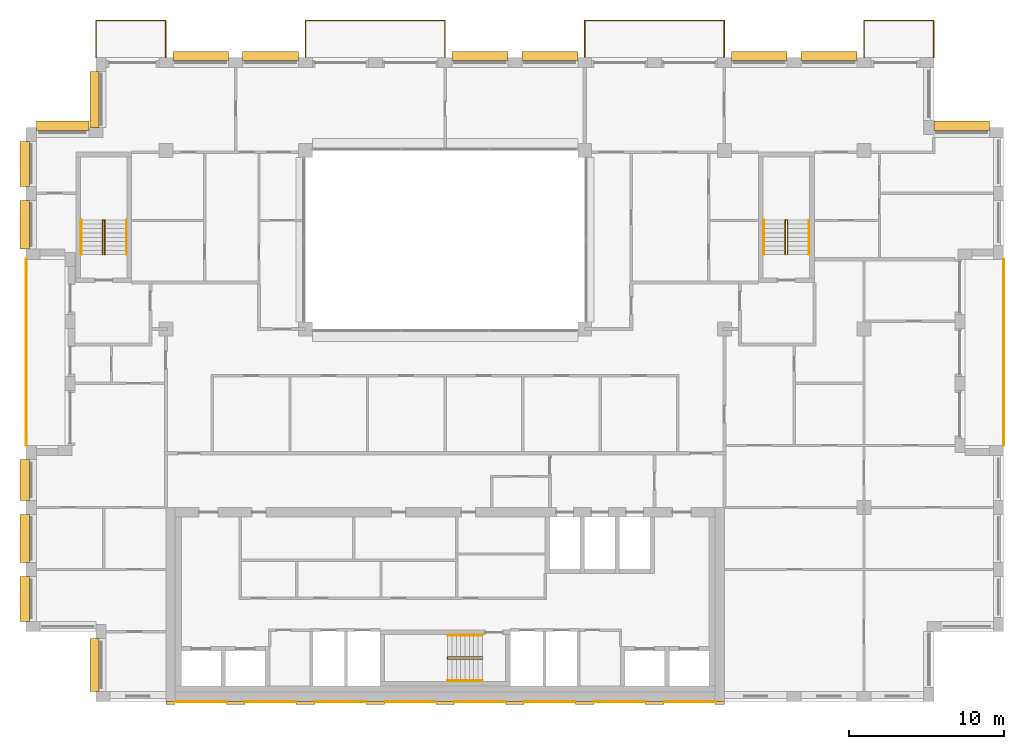
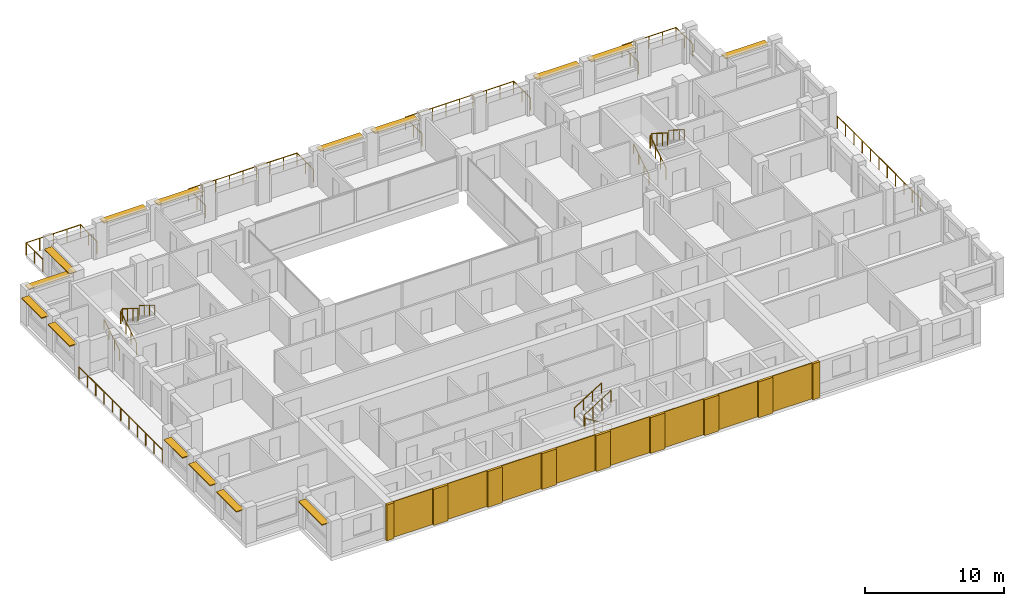
# One storey, part 15 of 15: 17 coverings, 15 railings, 15 shading devices.
"""IFC4 building model written with IfcOpenShell, lengths in metres."""

from ifc_helpers import new_model, si_unit, direction, frame, origin, origin_2d, place, context, subcontext, project, spatial, rectangle, circle, extrude, material, layer, layer_set, type_object, element, save


model = new_model("IFC4")

# Units and contexts
model_context = context("Model", 3, precision=1e-05, world=origin(), true_north=direction((0.0, 1.0)))
body_context = subcontext(model_context, "Body", "Model", "MODEL_VIEW")
ifc_project = project(units=[si_unit("LENGTHUNIT", "METRE"), si_unit("AREAUNIT", "SQUARE_METRE"), si_unit("VOLUMEUNIT", "CUBIC_METRE"), si_unit("PLANEANGLEUNIT", "RADIAN"), si_unit("MASSUNIT", "GRAM", prefix="KILO")], contexts=[model_context])

# Site, building, storey
site_placement = place(None, origin())
site = spatial("IfcSite", under=ifc_project, at=site_placement, CompositionType="ELEMENT")
building_placement = place(site_placement, origin())
building = spatial("IfcBuilding", under=site, at=building_placement, Name="Brigalow Station Residences", CompositionType="ELEMENT")
storey_placement = place(building_placement, frame((0.0, 0.0, 213.75)))
storey = spatial("IfcBuildingStorey", under=building, at=storey_placement, Name="L61", CompositionType="ELEMENT", Elevation=213.75)

# Railings
ifc_material_1 = material(Name="Stainless steel balustrade with laminated glass infill", Category="steel")
railing_type_1 = type_object("IfcRailingType", Name="BALCONY GUARD 1100", PredefinedType="GUARDRAIL", material=ifc_material_1)
railing_1_placement = place(storey_placement, frame((72.0, 16.5, -0.0400390625)))
element("IfcRailing", 1, at=railing_1_placement, inside=storey, type_object=railing_type_1, Name="L61/balcony-guard/1", PredefinedType="GUARDRAIL", context=body_context, shape_type="SweptSolid", body=[
    extrude(circle(Radius=0.02392578125, at=origin_2d()), frame((0.0, 0.0, 1.076171875), z_axis=(0.0, 1.0, 0.0), x_axis=(-1.0, 0.0, 0.0)), (0.0, 0.0, 1.0), 12.0),
    extrude(circle(Radius=0.02099609375, at=origin_2d()), origin(), (0.0, 0.0, 1.0), 1.052001953125),
    extrude(circle(Radius=0.02099609375, at=origin_2d()), frame((0.0, 1.199951171875, 0.0)), (0.0, 0.0, 1.0), 1.052001953125),
    extrude(circle(Radius=0.02099609375, at=origin_2d()), frame((0.0, 2.39990234375, 0.0)), (0.0, 0.0, 1.0), 1.052001953125),
    extrude(circle(Radius=0.02099609375, at=origin_2d()), frame((0.0, 3.60009765625, 0.0)), (0.0, 0.0, 1.0), 1.052001953125),
    extrude(circle(Radius=0.02099609375, at=origin_2d()), frame((0.0, 4.800048828125, 0.0)), (0.0, 0.0, 1.0), 1.052001953125),
    extrude(circle(Radius=0.02099609375, at=origin_2d()), frame((0.0, 6.0, 0.0)), (0.0, 0.0, 1.0), 1.052001953125),
    extrude(circle(Radius=0.02099609375, at=origin_2d()), frame((0.0, 7.199951171875, 0.0)), (0.0, 0.0, 1.0), 1.052001953125),
    extrude(circle(Radius=0.02099609375, at=origin_2d()), frame((0.0, 8.39990234375, 0.0)), (0.0, 0.0, 1.0), 1.052001953125),
    extrude(circle(Radius=0.02099609375, at=origin_2d()), frame((0.0, 9.60009765625, 0.0)), (0.0, 0.0, 1.0), 1.052001953125),
    extrude(circle(Radius=0.02099609375, at=origin_2d()), frame((0.0, 10.800048828125, 0.0)), (0.0, 0.0, 1.0), 1.052001953125),
    extrude(circle(Radius=0.02099609375, at=origin_2d()), frame((0.0, 12.0, 0.0)), (0.0, 0.0, 1.0), 1.052001953125),
])
railing_2_placement = place(storey_placement, frame((67.5, 41.5, -0.0400390625)))
element("IfcRailing", 2, at=railing_2_placement, inside=storey, type_object=railing_type_1, Name="L61/balcony-guard/2", PredefinedType="GUARDRAIL", context=body_context, shape_type="SweptSolid", body=[
    extrude(circle(Radius=0.02392578125, at=origin_2d()), frame((0.0, 0.0, 1.076171875), z_axis=(0.0, 1.0, 0.0), x_axis=(-1.0, 0.0, 0.0)), (0.0, 0.0, 1.0), 2.39990234375),
    extrude(circle(Radius=0.02392578125, at=origin_2d()), frame((0.0, 2.39990234375, 1.076171875), z_axis=(-1.0, 0.0, 0.0), x_axis=(0.0, -1.0, 0.0)), (0.0, 0.0, 1.0), 4.5),
    extrude(circle(Radius=0.02392578125, at=origin_2d()), frame((-4.5, 2.39990234375, 1.076171875), z_axis=(0.0, -1.0, 0.0), x_axis=(1.0, 0.0, 0.0)), (0.0, 0.0, 1.0), 2.39990234375),
    extrude(circle(Radius=0.02099609375, at=origin_2d()), origin(), (0.0, 0.0, 1.0), 1.052001953125),
    extrude(circle(Radius=0.02099609375, at=origin_2d()), frame((0.0, 1.199951171875, 0.0)), (0.0, 0.0, 1.0), 1.052001953125),
    extrude(circle(Radius=0.02099609375, at=origin_2d()), frame((0.0, 2.39990234375, 0.0)), (0.0, 0.0, 1.0), 1.052001953125),
    extrude(circle(Radius=0.02099609375, at=origin_2d()), frame((-1.125, 2.39990234375, 0.0)), (0.0, 0.0, 1.0), 1.052001953125),
    extrude(circle(Radius=0.02099609375, at=origin_2d()), frame((-2.25, 2.39990234375, 0.0)), (0.0, 0.0, 1.0), 1.052001953125),
    extrude(circle(Radius=0.02099609375, at=origin_2d()), frame((-3.375, 2.39990234375, 0.0)), (0.0, 0.0, 1.0), 1.052001953125),
    extrude(circle(Radius=0.02099609375, at=origin_2d()), frame((-4.5, 2.39990234375, 0.0)), (0.0, 0.0, 1.0), 1.052001953125),
    extrude(circle(Radius=0.02099609375, at=origin_2d()), frame((-4.5, 1.199951171875, 0.0)), (0.0, 0.0, 1.0), 1.052001953125),
    extrude(circle(Radius=0.02099609375, at=origin_2d()), frame((-4.5, 0.0, 0.0)), (0.0, 0.0, 1.0), 1.052001953125),
])
railing_3_placement = place(storey_placement, frame((54.0, 41.5, -0.0400390625)))
element("IfcRailing", 3, at=railing_3_placement, inside=storey, type_object=railing_type_1, Name="L61/balcony-guard/3", PredefinedType="GUARDRAIL", context=body_context, shape_type="SweptSolid", body=[
    extrude(circle(Radius=0.02392578125, at=origin_2d()), frame((0.0, 0.0, 1.076171875), z_axis=(0.0, 1.0, 0.0), x_axis=(-1.0, 0.0, 0.0)), (0.0, 0.0, 1.0), 2.39990234375),
    extrude(circle(Radius=0.02392578125, at=origin_2d()), frame((0.0, 2.39990234375, 1.076171875), z_axis=(-1.0, 0.0, 0.0), x_axis=(0.0, -1.0, 0.0)), (0.0, 0.0, 1.0), 9.0),
    extrude(circle(Radius=0.02392578125, at=origin_2d()), frame((-9.0, 2.39990234375, 1.076171875), z_axis=(0.0, -1.0, 0.0), x_axis=(1.0, 0.0, 0.0)), (0.0, 0.0, 1.0), 2.39990234375),
    extrude(circle(Radius=0.02099609375, at=origin_2d()), origin(), (0.0, 0.0, 1.0), 1.052001953125),
    extrude(circle(Radius=0.02099609375, at=origin_2d()), frame((0.0, 1.199951171875, 0.0)), (0.0, 0.0, 1.0), 1.052001953125),
    extrude(circle(Radius=0.02099609375, at=origin_2d()), frame((0.0, 2.39990234375, 0.0)), (0.0, 0.0, 1.0), 1.052001953125),
    extrude(circle(Radius=0.02099609375, at=origin_2d()), frame((-1.125, 2.39990234375, 0.0)), (0.0, 0.0, 1.0), 1.052001953125),
    extrude(circle(Radius=0.02099609375, at=origin_2d()), frame((-2.25, 2.39990234375, 0.0)), (0.0, 0.0, 1.0), 1.052001953125),
    extrude(circle(Radius=0.02099609375, at=origin_2d()), frame((-3.375, 2.39990234375, 0.0)), (0.0, 0.0, 1.0), 1.052001953125),
    extrude(circle(Radius=0.02099609375, at=origin_2d()), frame((-4.5, 2.39990234375, 0.0)), (0.0, 0.0, 1.0), 1.052001953125),
    extrude(circle(Radius=0.02099609375, at=origin_2d()), frame((-5.625, 2.39990234375, 0.0)), (0.0, 0.0, 1.0), 1.052001953125),
    extrude(circle(Radius=0.02099609375, at=origin_2d()), frame((-6.75, 2.39990234375, 0.0)), (0.0, 0.0, 1.0), 1.052001953125),
    extrude(circle(Radius=0.02099609375, at=origin_2d()), frame((-7.875, 2.39990234375, 0.0)), (0.0, 0.0, 1.0), 1.052001953125),
    extrude(circle(Radius=0.02099609375, at=origin_2d()), frame((-9.0, 2.39990234375, 0.0)), (0.0, 0.0, 1.0), 1.052001953125),
    extrude(circle(Radius=0.02099609375, at=origin_2d()), frame((-9.0, 1.199951171875, 0.0)), (0.0, 0.0, 1.0), 1.052001953125),
    extrude(circle(Radius=0.02099609375, at=origin_2d()), frame((-9.0, 0.0, 0.0)), (0.0, 0.0, 1.0), 1.052001953125),
])
railing_4_placement = place(storey_placement, frame((36.0, 41.5, -0.0400390625)))
element("IfcRailing", 4, at=railing_4_placement, inside=storey, type_object=railing_type_1, Name="L61/balcony-guard/4", PredefinedType="GUARDRAIL", context=body_context, shape_type="SweptSolid", body=[
    extrude(circle(Radius=0.02392578125, at=origin_2d()), frame((0.0, 0.0, 1.076171875), z_axis=(0.0, 1.0, 0.0), x_axis=(-1.0, 0.0, 0.0)), (0.0, 0.0, 1.0), 2.39990234375),
    extrude(circle(Radius=0.02392578125, at=origin_2d()), frame((0.0, 2.39990234375, 1.076171875), z_axis=(-1.0, 0.0, 0.0), x_axis=(0.0, -1.0, 0.0)), (0.0, 0.0, 1.0), 9.0),
    extrude(circle(Radius=0.02392578125, at=origin_2d()), frame((-9.0, 2.39990234375, 1.076171875), z_axis=(0.0, -1.0, 0.0), x_axis=(1.0, 0.0, 0.0)), (0.0, 0.0, 1.0), 2.39990234375),
    extrude(circle(Radius=0.02099609375, at=origin_2d()), origin(), (0.0, 0.0, 1.0), 1.052001953125),
    extrude(circle(Radius=0.02099609375, at=origin_2d()), frame((0.0, 1.199951171875, 0.0)), (0.0, 0.0, 1.0), 1.052001953125),
    extrude(circle(Radius=0.02099609375, at=origin_2d()), frame((0.0, 2.39990234375, 0.0)), (0.0, 0.0, 1.0), 1.052001953125),
    extrude(circle(Radius=0.02099609375, at=origin_2d()), frame((-1.125, 2.39990234375, 0.0)), (0.0, 0.0, 1.0), 1.052001953125),
    extrude(circle(Radius=0.02099609375, at=origin_2d()), frame((-2.25, 2.39990234375, 0.0)), (0.0, 0.0, 1.0), 1.052001953125),
    extrude(circle(Radius=0.02099609375, at=origin_2d()), frame((-3.375, 2.39990234375, 0.0)), (0.0, 0.0, 1.0), 1.052001953125),
    extrude(circle(Radius=0.02099609375, at=origin_2d()), frame((-4.5, 2.39990234375, 0.0)), (0.0, 0.0, 1.0), 1.052001953125),
    extrude(circle(Radius=0.02099609375, at=origin_2d()), frame((-5.625, 2.39990234375, 0.0)), (0.0, 0.0, 1.0), 1.052001953125),
    extrude(circle(Radius=0.02099609375, at=origin_2d()), frame((-6.75, 2.39990234375, 0.0)), (0.0, 0.0, 1.0), 1.052001953125),
    extrude(circle(Radius=0.02099609375, at=origin_2d()), frame((-7.875, 2.39990234375, 0.0)), (0.0, 0.0, 1.0), 1.052001953125),
    extrude(circle(Radius=0.02099609375, at=origin_2d()), frame((-9.0, 2.39990234375, 0.0)), (0.0, 0.0, 1.0), 1.052001953125),
    extrude(circle(Radius=0.02099609375, at=origin_2d()), frame((-9.0, 1.199951171875, 0.0)), (0.0, 0.0, 1.0), 1.052001953125),
    extrude(circle(Radius=0.02099609375, at=origin_2d()), frame((-9.0, 0.0, 0.0)), (0.0, 0.0, 1.0), 1.052001953125),
])
railing_5_placement = place(storey_placement, frame((18.0, 41.5, -0.0400390625)))
element("IfcRailing", 5, at=railing_5_placement, inside=storey, type_object=railing_type_1, Name="L61/balcony-guard/5", PredefinedType="GUARDRAIL", context=body_context, shape_type="SweptSolid", body=[
    extrude(circle(Radius=0.02392578125, at=origin_2d()), frame((0.0, 0.0, 1.076171875), z_axis=(0.0, 1.0, 0.0), x_axis=(-1.0, 0.0, 0.0)), (0.0, 0.0, 1.0), 2.39990234375),
    extrude(circle(Radius=0.02392578125, at=origin_2d()), frame((0.0, 2.39990234375, 1.076171875), z_axis=(-1.0, 0.0, 0.0), x_axis=(0.0, -1.0, 0.0)), (0.0, 0.0, 1.0), 4.5),
    extrude(circle(Radius=0.02392578125, at=origin_2d()), frame((-4.5, 2.39990234375, 1.076171875), z_axis=(0.0, -1.0, 0.0), x_axis=(1.0, 0.0, 0.0)), (0.0, 0.0, 1.0), 2.39990234375),
    extrude(circle(Radius=0.02099609375, at=origin_2d()), origin(), (0.0, 0.0, 1.0), 1.052001953125),
    extrude(circle(Radius=0.02099609375, at=origin_2d()), frame((0.0, 1.199951171875, 0.0)), (0.0, 0.0, 1.0), 1.052001953125),
    extrude(circle(Radius=0.02099609375, at=origin_2d()), frame((0.0, 2.39990234375, 0.0)), (0.0, 0.0, 1.0), 1.052001953125),
    extrude(circle(Radius=0.02099609375, at=origin_2d()), frame((-1.125, 2.39990234375, 0.0)), (0.0, 0.0, 1.0), 1.052001953125),
    extrude(circle(Radius=0.02099609375, at=origin_2d()), frame((-2.25, 2.39990234375, 0.0)), (0.0, 0.0, 1.0), 1.052001953125),
    extrude(circle(Radius=0.02099609375, at=origin_2d()), frame((-3.375, 2.39990234375, 0.0)), (0.0, 0.0, 1.0), 1.052001953125),
    extrude(circle(Radius=0.02099609375, at=origin_2d()), frame((-4.5, 2.39990234375, 0.0)), (0.0, 0.0, 1.0), 1.052001953125),
    extrude(circle(Radius=0.02099609375, at=origin_2d()), frame((-4.5, 1.199951171875, 0.0)), (0.0, 0.0, 1.0), 1.052001953125),
    extrude(circle(Radius=0.02099609375, at=origin_2d()), frame((-4.5, 0.0, 0.0)), (0.0, 0.0, 1.0), 1.052001953125),
])
railing_6_placement = place(storey_placement, frame((9.0, 28.5, -0.0400390625)))
element("IfcRailing", 6, at=railing_6_placement, inside=storey, type_object=railing_type_1, Name="L61/balcony-guard/6", PredefinedType="GUARDRAIL", context=body_context, shape_type="SweptSolid", body=[
    extrude(circle(Radius=0.02392578125, at=origin_2d()), frame((0.0, 0.0, 1.076171875), z_axis=(0.0, -1.0, 0.0), x_axis=(1.0, 0.0, 0.0)), (0.0, 0.0, 1.0), 12.0),
    extrude(circle(Radius=0.02099609375, at=origin_2d()), origin(), (0.0, 0.0, 1.0), 1.052001953125),
    extrude(circle(Radius=0.02099609375, at=origin_2d()), frame((0.0, -1.199951171875, 0.0)), (0.0, 0.0, 1.0), 1.052001953125),
    extrude(circle(Radius=0.02099609375, at=origin_2d()), frame((0.0, -2.39990234375, 0.0)), (0.0, 0.0, 1.0), 1.052001953125),
    extrude(circle(Radius=0.02099609375, at=origin_2d()), frame((0.0, -3.60009765625, 0.0)), (0.0, 0.0, 1.0), 1.052001953125),
    extrude(circle(Radius=0.02099609375, at=origin_2d()), frame((0.0, -4.800048828125, 0.0)), (0.0, 0.0, 1.0), 1.052001953125),
    extrude(circle(Radius=0.02099609375, at=origin_2d()), frame((0.0, -6.0, 0.0)), (0.0, 0.0, 1.0), 1.052001953125),
    extrude(circle(Radius=0.02099609375, at=origin_2d()), frame((0.0, -7.199951171875, 0.0)), (0.0, 0.0, 1.0), 1.052001953125),
    extrude(circle(Radius=0.02099609375, at=origin_2d()), frame((0.0, -8.39990234375, 0.0)), (0.0, 0.0, 1.0), 1.052001953125),
    extrude(circle(Radius=0.02099609375, at=origin_2d()), frame((0.0, -9.60009765625, 0.0)), (0.0, 0.0, 1.0), 1.052001953125),
    extrude(circle(Radius=0.02099609375, at=origin_2d()), frame((0.0, -10.800048828125, 0.0)), (0.0, 0.0, 1.0), 1.052001953125),
    extrude(circle(Radius=0.02099609375, at=origin_2d()), frame((0.0, -12.0, 0.0)), (0.0, 0.0, 1.0), 1.052001953125),
])

# Coverings
ifc_material_2 = material(Name="Clay brick masonry", Category="masonry")
ifc_layer_1 = layer(ifc_material_2, 0.06005859375)
ifc_layer_set_1 = layer_set([ifc_layer_1], Name="BRICK PANEL FACING 60")
covering_type_1 = type_object("IfcCoveringType", Name="BRICK PANEL FACING 60", PredefinedType="CLADDING", material=ifc_layer_set_1)
for number, where, z_axis, x_axis, name in (
    (7, (20.25, -0.030029296875, 0.0), (0.0, 0.0, 1.0), (1.0, 0.0, 0.0), "L61/rear-facing/panel-1"),
    (8, (24.75, -0.030029296875, 0.0), (0.0, 0.0, 1.0), (1.0, 0.0, 0.0), "L61/rear-facing/panel-2"),
    (9, (29.25, -0.030029296875, 0.0), (0.0, 0.0, 1.0), (1.0, 0.0, 0.0), "L61/rear-facing/panel-3"),
    (10, (33.75, -0.030029296875, 0.0), (0.0, 0.0, 1.0), (1.0, 0.0, 0.0), "L61/rear-facing/panel-4"),
    (11, (38.25, -0.030029296875, 0.0), (0.0, 0.0, 1.0), (1.0, 0.0, 0.0), "L61/rear-facing/panel-5"),
    (12, (42.75, -0.030029296875, 0.0), (0.0, 0.0, 1.0), (1.0, 0.0, 0.0), "L61/rear-facing/panel-6"),
    (13, (47.25, -0.030029296875, 0.0), (0.0, 0.0, 1.0), (1.0, 0.0, 0.0), "L61/rear-facing/panel-7"),
    (14, (51.75, -0.030029296875, 0.0), (0.0, 0.0, 1.0), (1.0, 0.0, 0.0), "L61/rear-facing/panel-8"),
):
    element("IfcCovering", number, at=place(storey_placement, frame(where, z_axis=z_axis, x_axis=x_axis)), inside=storey, type_object=covering_type_1, Name=name, PredefinedType="CLADDING", context=body_context, shape_type="SweptSolid", body=[
        extrude(rectangle(XDim=3.300048828125, YDim=0.06005859375, at=origin_2d()), origin(), (0.0, 0.0, 1.0), 3.14990234375),
    ])
ifc_material_3 = material(Name="Clay brick masonry", Category="masonry")
ifc_layer_2 = layer(ifc_material_3, 0.199951171875)
ifc_layer_set_2 = layer_set([ifc_layer_2], Name="BRICK PIER FACING 200")
covering_type_2 = type_object("IfcCoveringType", Name="BRICK PIER FACING 200", PredefinedType="CLADDING", material=ifc_layer_set_2)
covering_1_placement = place(storey_placement, frame((18.300048828125, -0.10009765625, 0.0), z_axis=(0.0, 0.0, 1.0), x_axis=(1.0, 0.0, 0.0)))
element("IfcCovering", 15, at=covering_1_placement, inside=storey, type_object=covering_type_2, Name="L61/rear-facing/pier-1", PredefinedType="CLADDING", context=body_context, shape_type="SweptSolid", body=[
    extrude(rectangle(XDim=0.60009765625, YDim=0.199951171875, at=origin_2d()), origin(), (0.0, 0.0, 1.0), 3.14990234375),
])
for number, where, z_axis, x_axis, name in (
    (16, (22.5, -0.10009765625, 0.0), (0.0, 0.0, 1.0), (1.0, 0.0, 0.0), "L61/rear-facing/pier-2"),
    (17, (27.0, -0.10009765625, 0.0), (0.0, 0.0, 1.0), (1.0, 0.0, 0.0), "L61/rear-facing/pier-3"),
    (18, (31.5, -0.10009765625, 0.0), (0.0, 0.0, 1.0), (1.0, 0.0, 0.0), "L61/rear-facing/pier-4"),
    (19, (36.0, -0.10009765625, 0.0), (0.0, 0.0, 1.0), (1.0, 0.0, 0.0), "L61/rear-facing/pier-5"),
    (20, (40.5, -0.10009765625, 0.0), (0.0, 0.0, 1.0), (1.0, 0.0, 0.0), "L61/rear-facing/pier-6"),
    (21, (45.0, -0.10009765625, 0.0), (0.0, 0.0, 1.0), (1.0, 0.0, 0.0), "L61/rear-facing/pier-7"),
    (22, (49.5, -0.10009765625, 0.0), (0.0, 0.0, 1.0), (1.0, 0.0, 0.0), "L61/rear-facing/pier-8"),
):
    element("IfcCovering", number, at=place(storey_placement, frame(where, z_axis=z_axis, x_axis=x_axis)), inside=storey, type_object=covering_type_2, Name=name, PredefinedType="CLADDING", context=body_context, shape_type="SweptSolid", body=[
        extrude(rectangle(XDim=1.199951171875, YDim=0.199951171875, at=origin_2d()), origin(), (0.0, 0.0, 1.0), 3.14990234375),
    ])
covering_2_placement = place(storey_placement, frame((53.699951171875, -0.10009765625, 0.0), z_axis=(0.0, 0.0, 1.0), x_axis=(1.0, 0.0, 0.0)))
element("IfcCovering", 23, at=covering_2_placement, inside=storey, type_object=covering_type_2, Name="L61/rear-facing/pier-9", PredefinedType="CLADDING", context=body_context, shape_type="SweptSolid", body=[
    extrude(rectangle(XDim=0.60009765625, YDim=0.199951171875, at=origin_2d()), origin(), (0.0, 0.0, 1.0), 3.14990234375),
])

# Railings
ifc_material_4 = material(Name="Stainless steel balustrade", Category="steel")
railing_type_2 = type_object("IfcRailingType", Name="STAIR GUARD 1100", PredefinedType="GUARDRAIL", material=ifc_material_4)
railing_7_placement = place(storey_placement, frame((38.39990234375, 2.72998046875, 0.175048828125)))
element("IfcRailing", 24, at=railing_7_placement, inside=storey, type_object=railing_type_2, Name="GUARD GR-2", PredefinedType="GUARDRAIL", context=body_context, shape_type="SweptSolid", body=[
    extrude(circle(Radius=0.02392578125, at=origin_2d()), frame((0.0, 0.0, 1.076171875), z_axis=(-0.848013881152, 0.0, 0.529974015752), x_axis=(0.0, -1.0, 0.0)), (0.0, 0.0, 1.0), 2.641357421875),
    extrude(circle(Radius=0.02392578125, at=origin_2d()), frame((-2.239990234375, 0.0, 2.47607421875), z_axis=(0.0, 0.624960567888, 0.780656319122), x_axis=(-1.0, 0.0, 0.0)), (0.0, 0.0, 1.0), 0.22412109375),
    extrude(circle(Radius=0.02392578125, at=origin_2d()), frame((-2.239990234375, 0.14013671875, 2.65087890625), z_axis=(0.848013881152, 0.0, 0.529974015752), x_axis=(0.0, 1.0, 0.0)), (0.0, 0.0, 1.0), 2.641357421875),
    extrude(circle(Radius=0.02099609375, at=origin_2d()), origin(), (0.0, 0.0, 1.0), 1.052001953125),
    extrude(circle(Radius=0.02099609375, at=origin_2d()), frame((-0.74658203125, 0.0, 0.466552734375)), (0.0, 0.0, 1.0), 1.052001953125),
    extrude(circle(Radius=0.02099609375, at=origin_2d()), frame((-1.493408203125, 0.0, 0.933349609375)), (0.0, 0.0, 1.0), 1.052001953125),
    extrude(circle(Radius=0.02099609375, at=origin_2d()), frame((-2.239990234375, 0.0, 1.39990234375)), (0.0, 0.0, 1.0), 1.052001953125),
    extrude(circle(Radius=0.02099609375, at=origin_2d()), frame((-2.239990234375, 0.14013671875, 1.574951171875)), (0.0, 0.0, 1.0), 1.052001953125),
    extrude(circle(Radius=0.02099609375, at=origin_2d()), frame((-1.493408203125, 0.14013671875, 2.04150390625)), (0.0, 0.0, 1.0), 1.052001953125),
    extrude(circle(Radius=0.02099609375, at=origin_2d()), frame((-0.74658203125, 0.14013671875, 2.50830078125)), (0.0, 0.0, 1.0), 1.052001953125),
    extrude(circle(Radius=0.02099609375, at=origin_2d()), frame((0.0, 0.14013671875, 2.974853515625)), (0.0, 0.0, 1.0), 1.052001953125),
])
for number, where, name in (
    (25, (13.929931640625, 28.800048828125, 0.175048828125), "GUARD GR-1"),
    (26, (57.929931640625, 28.800048828125, 0.175048828125), "GUARD GR-3"),
):
    element("IfcRailing", number, at=place(storey_placement, frame(where)), inside=storey, type_object=railing_type_2, Name=name, PredefinedType="GUARDRAIL", context=body_context, shape_type="SweptSolid", body=[
        extrude(circle(Radius=0.02392578125, at=origin_2d()), frame((0.0, 0.0, 1.076171875), z_axis=(0.0, 0.848013881152, 0.529974015752), x_axis=(-1.0, 0.0, 0.0)), (0.0, 0.0, 1.0), 2.641357421875),
        extrude(circle(Radius=0.02392578125, at=origin_2d()), frame((0.0, 2.239990234375, 2.47607421875), z_axis=(0.624960567888, 0.0, 0.780656319122), x_axis=(0.0, 1.0, 0.0)), (0.0, 0.0, 1.0), 0.22412109375),
        extrude(circle(Radius=0.02392578125, at=origin_2d()), frame((0.14013671875, 2.239990234375, 2.65087890625), z_axis=(0.0, -0.848013881152, 0.529974015752), x_axis=(1.0, 0.0, 0.0)), (0.0, 0.0, 1.0), 2.641357421875),
        extrude(circle(Radius=0.02099609375, at=origin_2d()), origin(), (0.0, 0.0, 1.0), 1.052001953125),
        extrude(circle(Radius=0.02099609375, at=origin_2d()), frame((0.0, 0.74658203125, 0.466552734375)), (0.0, 0.0, 1.0), 1.052001953125),
        extrude(circle(Radius=0.02099609375, at=origin_2d()), frame((0.0, 1.493408203125, 0.933349609375)), (0.0, 0.0, 1.0), 1.052001953125),
        extrude(circle(Radius=0.02099609375, at=origin_2d()), frame((0.0, 2.239990234375, 1.39990234375)), (0.0, 0.0, 1.0), 1.052001953125),
        extrude(circle(Radius=0.02099609375, at=origin_2d()), frame((0.14013671875, 2.239990234375, 1.574951171875)), (0.0, 0.0, 1.0), 1.052001953125),
        extrude(circle(Radius=0.02099609375, at=origin_2d()), frame((0.14013671875, 1.493408203125, 2.04150390625)), (0.0, 0.0, 1.0), 1.052001953125),
        extrude(circle(Radius=0.02099609375, at=origin_2d()), frame((0.14013671875, 0.74658203125, 2.50830078125)), (0.0, 0.0, 1.0), 1.052001953125),
        extrude(circle(Radius=0.02099609375, at=origin_2d()), frame((0.14013671875, 0.0, 2.974853515625)), (0.0, 0.0, 1.0), 1.052001953125),
    ])
ifc_material_5 = material(Name="Stainless steel handrail", Category="steel")
railing_type_3 = type_object("IfcRailingType", Name="STAIR HANDRAIL 900", PredefinedType="HANDRAIL", material=ifc_material_5)
railing_8_placement = place(storey_placement, frame((38.39990234375, 1.340087890625, 0.175048828125)))
element("IfcRailing", 27, at=railing_8_placement, inside=storey, type_object=railing_type_3, Name="HANDRAIL HR-21", PredefinedType="HANDRAIL", context=body_context, shape_type="SweptSolid", body=[
    extrude(circle(Radius=0.02392578125, at=origin_2d()), frame((0.0, 0.0, 0.8759765625), z_axis=(-0.848013881152, 0.0, 0.529974015752), x_axis=(0.0, -1.0, 0.0)), (0.0, 0.0, 1.0), 2.641357421875),
    extrude(circle(Radius=0.02099609375, at=origin_2d()), origin(), (0.0, 0.0, 1.0), 0.851806640625),
    extrude(circle(Radius=0.02099609375, at=origin_2d()), frame((-0.74658203125, 0.0, 0.466552734375)), (0.0, 0.0, 1.0), 0.851806640625),
    extrude(circle(Radius=0.02099609375, at=origin_2d()), frame((-1.493408203125, 0.0, 0.933349609375)), (0.0, 0.0, 1.0), 0.851806640625),
    extrude(circle(Radius=0.02099609375, at=origin_2d()), frame((-2.239990234375, 0.0, 1.39990234375)), (0.0, 0.0, 1.0), 0.851806640625),
])
railing_9_placement = place(storey_placement, frame((36.159912109375, 4.260009765625, 1.75)))
element("IfcRailing", 28, at=railing_9_placement, inside=storey, type_object=railing_type_3, Name="HANDRAIL HR-22", PredefinedType="HANDRAIL", context=body_context, shape_type="SweptSolid", body=[
    extrude(circle(Radius=0.02392578125, at=origin_2d()), frame((0.0, 0.0, 0.8759765625), z_axis=(0.848013881152, 0.0, 0.529974015752), x_axis=(0.0, 1.0, 0.0)), (0.0, 0.0, 1.0), 2.641357421875),
    extrude(circle(Radius=0.02099609375, at=origin_2d()), origin(), (0.0, 0.0, 1.0), 0.851806640625),
    extrude(circle(Radius=0.02099609375, at=origin_2d()), frame((0.74658203125, 0.0, 0.466552734375)), (0.0, 0.0, 1.0), 0.851806640625),
    extrude(circle(Radius=0.02099609375, at=origin_2d()), frame((1.493408203125, 0.0, 0.933349609375)), (0.0, 0.0, 1.0), 0.851806640625),
    extrude(circle(Radius=0.02099609375, at=origin_2d()), frame((2.239990234375, 0.0, 1.39990234375)), (0.0, 0.0, 1.0), 0.851806640625),
])
railing_10_placement = place(storey_placement, frame((12.5400390625, 28.800048828125, 0.175048828125)))
element("IfcRailing", 29, at=railing_10_placement, inside=storey, type_object=railing_type_3, Name="HANDRAIL HR-11", PredefinedType="HANDRAIL", context=body_context, shape_type="SweptSolid", body=[
    extrude(circle(Radius=0.02392578125, at=origin_2d()), frame((0.0, 0.0, 0.8759765625), z_axis=(0.0, 0.848013881152, 0.529974015752), x_axis=(-1.0, 0.0, 0.0)), (0.0, 0.0, 1.0), 2.641357421875),
    extrude(circle(Radius=0.02099609375, at=origin_2d()), origin(), (0.0, 0.0, 1.0), 0.851806640625),
    extrude(circle(Radius=0.02099609375, at=origin_2d()), frame((0.0, 0.74658203125, 0.466552734375)), (0.0, 0.0, 1.0), 0.851806640625),
    extrude(circle(Radius=0.02099609375, at=origin_2d()), frame((0.0, 1.493408203125, 0.933349609375)), (0.0, 0.0, 1.0), 0.851806640625),
    extrude(circle(Radius=0.02099609375, at=origin_2d()), frame((0.0, 2.239990234375, 1.39990234375)), (0.0, 0.0, 1.0), 0.851806640625),
])
railing_11_placement = place(storey_placement, frame((15.4599609375, 31.0400390625, 1.75)))
element("IfcRailing", 30, at=railing_11_placement, inside=storey, type_object=railing_type_3, Name="HANDRAIL HR-12", PredefinedType="HANDRAIL", context=body_context, shape_type="SweptSolid", body=[
    extrude(circle(Radius=0.02392578125, at=origin_2d()), frame((0.0, 0.0, 0.8759765625), z_axis=(0.0, -0.848013881152, 0.529974015752), x_axis=(1.0, 0.0, 0.0)), (0.0, 0.0, 1.0), 2.641357421875),
    extrude(circle(Radius=0.02099609375, at=origin_2d()), origin(), (0.0, 0.0, 1.0), 0.851806640625),
    extrude(circle(Radius=0.02099609375, at=origin_2d()), frame((0.0, -0.74658203125, 0.466552734375)), (0.0, 0.0, 1.0), 0.851806640625),
    extrude(circle(Radius=0.02099609375, at=origin_2d()), frame((0.0, -1.493408203125, 0.933349609375)), (0.0, 0.0, 1.0), 0.851806640625),
    extrude(circle(Radius=0.02099609375, at=origin_2d()), frame((0.0, -2.239990234375, 1.39990234375)), (0.0, 0.0, 1.0), 0.851806640625),
])
railing_12_placement = place(storey_placement, frame((56.5400390625, 28.800048828125, 0.175048828125)))
element("IfcRailing", 31, at=railing_12_placement, inside=storey, type_object=railing_type_3, Name="HANDRAIL HR-31", PredefinedType="HANDRAIL", context=body_context, shape_type="SweptSolid", body=[
    extrude(circle(Radius=0.02392578125, at=origin_2d()), frame((0.0, 0.0, 0.8759765625), z_axis=(0.0, 0.848013881152, 0.529974015752), x_axis=(-1.0, 0.0, 0.0)), (0.0, 0.0, 1.0), 2.641357421875),
    extrude(circle(Radius=0.02099609375, at=origin_2d()), origin(), (0.0, 0.0, 1.0), 0.851806640625),
    extrude(circle(Radius=0.02099609375, at=origin_2d()), frame((0.0, 0.74658203125, 0.466552734375)), (0.0, 0.0, 1.0), 0.851806640625),
    extrude(circle(Radius=0.02099609375, at=origin_2d()), frame((0.0, 1.493408203125, 0.933349609375)), (0.0, 0.0, 1.0), 0.851806640625),
    extrude(circle(Radius=0.02099609375, at=origin_2d()), frame((0.0, 2.239990234375, 1.39990234375)), (0.0, 0.0, 1.0), 0.851806640625),
])
railing_13_placement = place(storey_placement, frame((59.4599609375, 31.0400390625, 1.75)))
element("IfcRailing", 32, at=railing_13_placement, inside=storey, type_object=railing_type_3, Name="HANDRAIL HR-32", PredefinedType="HANDRAIL", context=body_context, shape_type="SweptSolid", body=[
    extrude(circle(Radius=0.02392578125, at=origin_2d()), frame((0.0, 0.0, 0.8759765625), z_axis=(0.0, -0.848013881152, 0.529974015752), x_axis=(1.0, 0.0, 0.0)), (0.0, 0.0, 1.0), 2.641357421875),
    extrude(circle(Radius=0.02099609375, at=origin_2d()), origin(), (0.0, 0.0, 1.0), 0.851806640625),
    extrude(circle(Radius=0.02099609375, at=origin_2d()), frame((0.0, -0.74658203125, 0.466552734375)), (0.0, 0.0, 1.0), 0.851806640625),
    extrude(circle(Radius=0.02099609375, at=origin_2d()), frame((0.0, -1.493408203125, 0.933349609375)), (0.0, 0.0, 1.0), 0.851806640625),
    extrude(circle(Radius=0.02099609375, at=origin_2d()), frame((0.0, -2.239990234375, 1.39990234375)), (0.0, 0.0, 1.0), 0.851806640625),
])

# Shading devices
ifc_material_6 = material(Name="Powder-coated extruded aluminium blade", Category="aluminium")
ifc_layer_3 = layer(ifc_material_6, 0.080078125)
ifc_layer_set_3 = layer_set([ifc_layer_3], Name="SUNSHADE BLADE 600x80")
shading_device_type = type_object("IfcShadingDeviceType", Name="SUNSHADE BLADE 600x80", PredefinedType="JALOUSIE", material=ifc_layer_set_3)
for number, where, z_axis, x_axis, name in (
    (33, (69.300048828125, 37.10009765625, 2.550048828125), (0.0, 0.0, 1.0), (-1.0, 0.0, 0.0), "L61/blade/W-L61-18"),
    (34, (60.75, 41.60009765625, 2.550048828125), (0.0, 0.0, 1.0), (-1.0, 0.0, 0.0), "L61/blade/W-L61-21"),
    (35, (56.25, 41.60009765625, 2.550048828125), (0.0, 0.0, 1.0), (-1.0, 0.0, 0.0), "L61/blade/W-L61-22"),
    (36, (42.75, 41.60009765625, 2.550048828125), (0.0, 0.0, 1.0), (-1.0, 0.0, 0.0), "L61/blade/W-L61-25"),
    (37, (38.25, 41.60009765625, 2.550048828125), (0.0, 0.0, 1.0), (-1.0, 0.0, 0.0), "L61/blade/W-L61-26"),
    (38, (24.75, 41.60009765625, 2.550048828125), (0.0, 0.0, 1.0), (-1.0, 0.0, 0.0), "L61/blade/W-L61-29"),
    (39, (20.25, 41.60009765625, 2.550048828125), (0.0, 0.0, 1.0), (-1.0, 0.0, 0.0), "L61/blade/W-L61-30"),
    (40, (13.39990234375, 38.800048828125, 2.550048828125), (0.0, 0.0, 1.0), (0.0, -1.0, 0.0), "L61/blade/W-L61-32"),
):
    element("IfcShadingDevice", number, at=place(storey_placement, frame(where, z_axis=z_axis, x_axis=x_axis)), inside=storey, type_object=shading_device_type, Name=name, PredefinedType="JALOUSIE", context=body_context, shape_type="SweptSolid", body=[
        extrude(rectangle(XDim=3.60009765625, YDim=0.60009765625, at=origin_2d()), origin(), (0.0, 0.0, 1.0), 0.080078125),
    ])
shading_device_1_placement = place(storey_placement, frame((11.35009765625, 37.10009765625, 2.550048828125), z_axis=(0.0, 0.0, 1.0), x_axis=(-1.0, 0.0, 0.0)))
element("IfcShadingDevice", 41, at=shading_device_1_placement, inside=storey, type_object=shading_device_type, Name="L61/blade/W-L61-33", PredefinedType="JALOUSIE", context=body_context, shape_type="SweptSolid", body=[
    extrude(rectangle(XDim=3.39990234375, YDim=0.60009765625, at=origin_2d()), origin(), (0.0, 0.0, 1.0), 0.080078125),
])
shading_device_2_placement = place(storey_placement, frame((8.89990234375, 34.64990234375, 2.550048828125), z_axis=(0.0, 0.0, 1.0), x_axis=(0.0, -1.0, 0.0)))
element("IfcShadingDevice", 42, at=shading_device_2_placement, inside=storey, type_object=shading_device_type, Name="L61/blade/W-L61-34", PredefinedType="JALOUSIE", context=body_context, shape_type="SweptSolid", body=[
    extrude(rectangle(XDim=2.89990234375, YDim=0.60009765625, at=origin_2d()), origin(), (0.0, 0.0, 1.0), 0.080078125),
])
shading_device_3_placement = place(storey_placement, frame((8.89990234375, 30.72509765625, 2.550048828125), z_axis=(0.0, 0.0, 1.0), x_axis=(0.0, -1.0, 0.0)))
element("IfcShadingDevice", 43, at=shading_device_3_placement, inside=storey, type_object=shading_device_type, Name="L61/blade/W-L61-35", PredefinedType="JALOUSIE", context=body_context, shape_type="SweptSolid", body=[
    extrude(rectangle(XDim=3.14990234375, YDim=0.60009765625, at=origin_2d()), origin(), (0.0, 0.0, 1.0), 0.080078125),
])
shading_device_4_placement = place(storey_placement, frame((8.89990234375, 14.27490234375, 2.550048828125), z_axis=(0.0, 0.0, 1.0), x_axis=(0.0, -1.0, 0.0)))
element("IfcShadingDevice", 44, at=shading_device_4_placement, inside=storey, type_object=shading_device_type, Name="L61/blade/W-L61-41", PredefinedType="JALOUSIE", context=body_context, shape_type="SweptSolid", body=[
    extrude(rectangle(XDim=2.64990234375, YDim=0.60009765625, at=origin_2d()), origin(), (0.0, 0.0, 1.0), 0.080078125),
])
shading_device_5_placement = place(storey_placement, frame((8.89990234375, 10.5, 2.550048828125), z_axis=(0.0, 0.0, 1.0), x_axis=(0.0, -1.0, 0.0)))
element("IfcShadingDevice", 45, at=shading_device_5_placement, inside=storey, type_object=shading_device_type, Name="L61/blade/W-L61-42", PredefinedType="JALOUSIE", context=body_context, shape_type="SweptSolid", body=[
    extrude(rectangle(XDim=3.10009765625, YDim=0.60009765625, at=origin_2d()), origin(), (0.0, 0.0, 1.0), 0.080078125),
])
shading_device_6_placement = place(storey_placement, frame((8.89990234375, 6.60009765625, 2.550048828125), z_axis=(0.0, 0.0, 1.0), x_axis=(0.0, -1.0, 0.0)))
element("IfcShadingDevice", 46, at=shading_device_6_placement, inside=storey, type_object=shading_device_type, Name="L61/blade/W-L61-43", PredefinedType="JALOUSIE", context=body_context, shape_type="SweptSolid", body=[
    extrude(rectangle(XDim=2.89990234375, YDim=0.60009765625, at=origin_2d()), origin(), (0.0, 0.0, 1.0), 0.080078125),
])
shading_device_7_placement = place(storey_placement, frame((13.39990234375, 2.35009765625, 2.550048828125), z_axis=(0.0, 0.0, 1.0), x_axis=(0.0, -1.0, 0.0)))
element("IfcShadingDevice", 47, at=shading_device_7_placement, inside=storey, type_object=shading_device_type, Name="L61/blade/W-L61-45", PredefinedType="JALOUSIE", context=body_context, shape_type="SweptSolid", body=[
    extrude(rectangle(XDim=3.39990234375, YDim=0.60009765625, at=origin_2d()), origin(), (0.0, 0.0, 1.0), 0.080078125),
])

save(model, "model.ifc")
